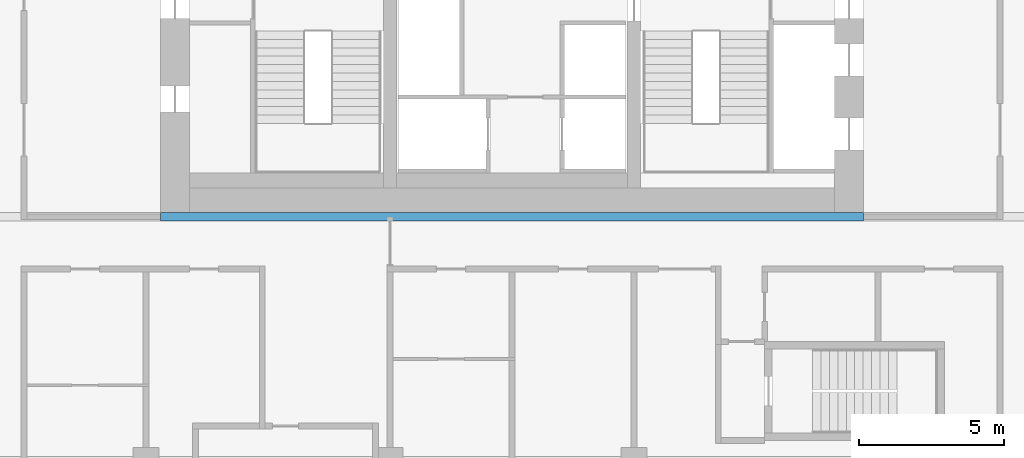
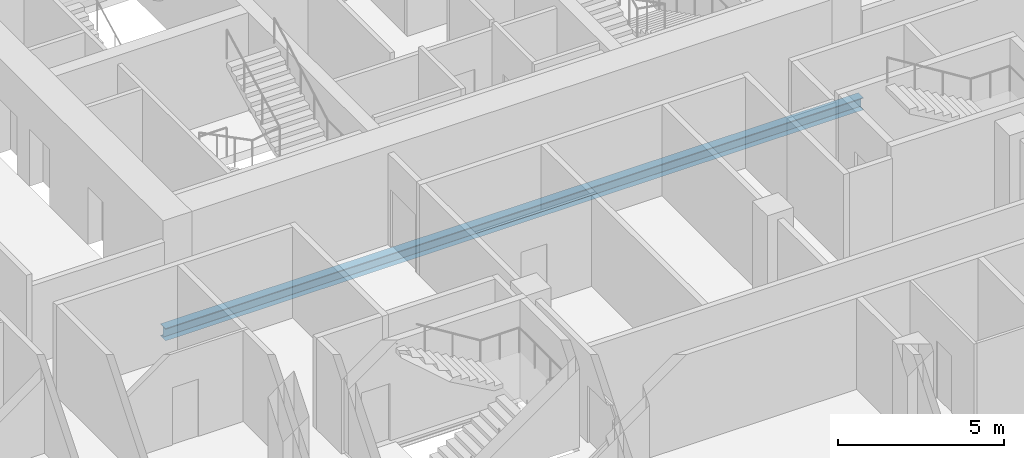
# One storey, part 5 of 23: 1 beam.
"""IFC4 building model written with IfcOpenShell, lengths in metres."""

from ifc_helpers import new_model, si_unit, direction, frame, origin, origin_2d, place, context, subcontext, project, spatial, i_section, extrude, material, material_profile, profile_set, type_object, element, save


model = new_model("IFC4")

# Units and contexts
model_context = context("Model", 3, precision=1e-05, world=origin(), true_north=direction((0.0, 1.0)))
body_context = subcontext(model_context, "Body", "Model", "MODEL_VIEW")
ifc_project = project(units=[si_unit("LENGTHUNIT", "METRE"), si_unit("AREAUNIT", "SQUARE_METRE"), si_unit("VOLUMEUNIT", "CUBIC_METRE"), si_unit("PLANEANGLEUNIT", "RADIAN"), si_unit("MASSUNIT", "GRAM", prefix="KILO")], contexts=[model_context])

# Site, building, storey
site_placement = place(None, origin())
site = spatial("IfcSite", under=ifc_project, at=site_placement, CompositionType="ELEMENT")
building_placement = place(site_placement, origin())
building = spatial("IfcBuilding", under=site, at=building_placement, Name="Marenta Gate Hotel Tower", CompositionType="ELEMENT")
storey_placement = place(building_placement, frame((0.0, 0.0, 119.300048828125)))
storey = spatial("IfcBuildingStorey", under=building, at=storey_placement, Name="L26", CompositionType="ELEMENT", Elevation=119.300048828125)

# Beam
ifc_material = material(Name="Steel S355", Category="steel")
ifc_material_profile = material_profile(ifc_material, i_section(OverallWidth=0.300048828125, OverallDepth=0.449951171875, WebThickness=0.013916015625, FlangeThickness=0.02587890625, FilletRadius=0.027099609375, at=origin_2d()), Name="HEB 450")
ifc_profile_set = profile_set([ifc_material_profile], Name="Steel S355")
beam_type = type_object("IfcBeamType", Name="Girder HEB 450", PredefinedType="BEAM", material=ifc_profile_set)
beam_placement = place(storey_placement, frame((-12.10009765625, 0.0, -0.485107421875), z_axis=(1.0, 0.0, 0.0), x_axis=(0.0, 1.0, 0.0)))
element("IfcBeam", 1, at=beam_placement, inside=storey, type_object=beam_type, Name="L26-GD-17", PredefinedType="BEAM", context=body_context, shape_type="SweptSolid", body=[
    extrude(i_section(OverallWidth=0.300048828125, OverallDepth=0.449951171875, WebThickness=0.013916015625, FlangeThickness=0.02587890625, FilletRadius=0.027099609375, at=origin_2d()), origin(), (0.0, 0.0, 1.0), 24.2001953125),
])

save(model, "model.ifc")
